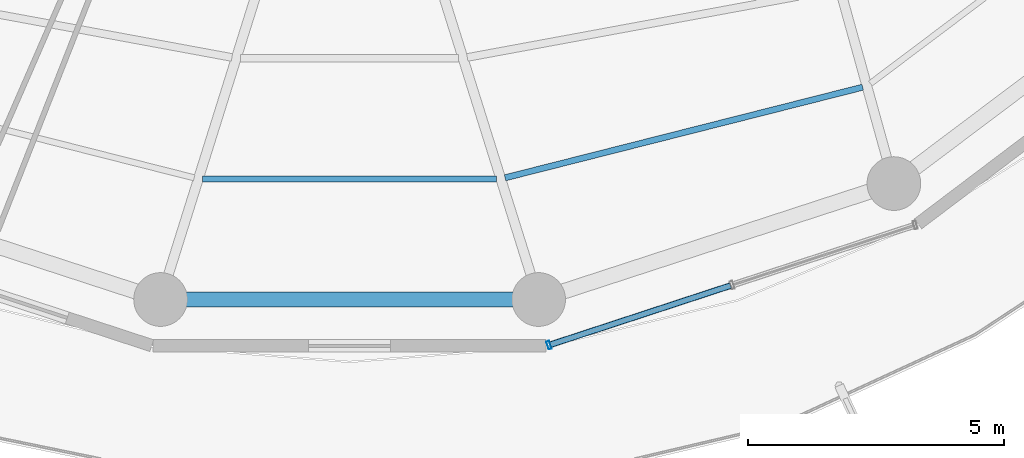
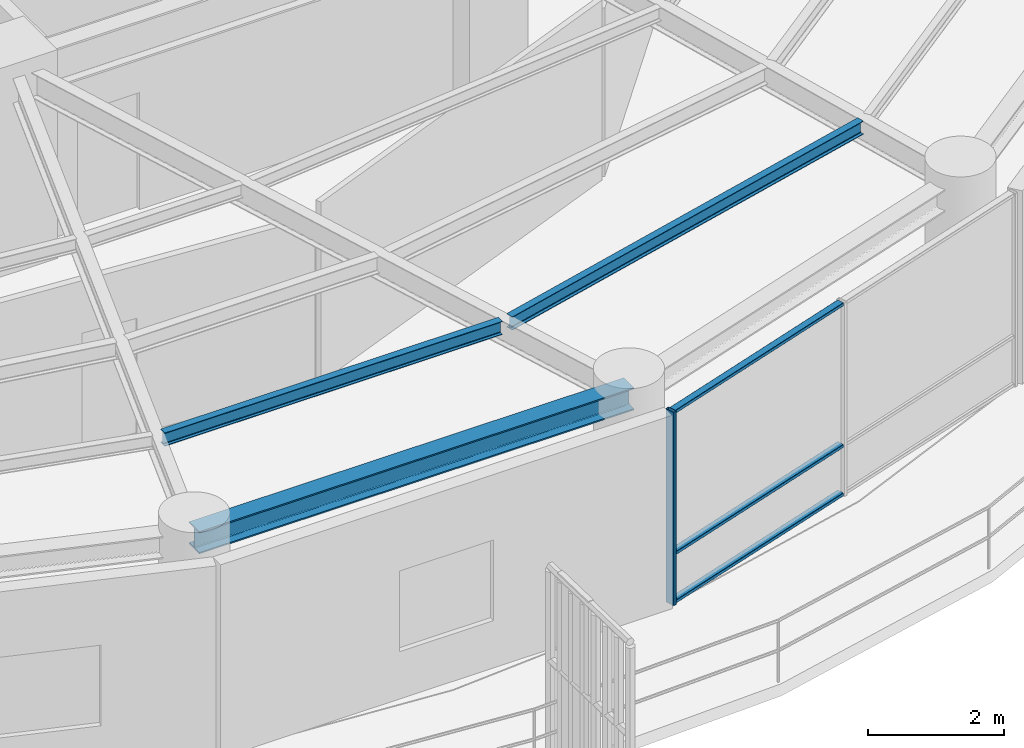
# One storey, part 4 of 30: 4 members, 3 beams, 1 element without a shape of its own.
"""IFC4 building model written with IfcOpenShell, lengths in metres."""

from ifc_helpers import new_model, si_unit, direction, frame, origin, origin_2d, place, context, subcontext, project, spatial, hollow_rectangle, i_section, extrude, material, layer, layer_set, material_profile, profile_set, type_object, element, aggregate, save


model = new_model("IFC4")

# Units and contexts
model_context = context("Model", 3, precision=1e-05, world=origin(), true_north=direction((0.0, 1.0)))
body_context = subcontext(model_context, "Body", "Model", "MODEL_VIEW")
ifc_project = project(units=[si_unit("LENGTHUNIT", "METRE"), si_unit("AREAUNIT", "SQUARE_METRE"), si_unit("VOLUMEUNIT", "CUBIC_METRE"), si_unit("PLANEANGLEUNIT", "RADIAN"), si_unit("MASSUNIT", "GRAM", prefix="KILO")], contexts=[model_context])

# Site, building, storey
site_placement = place(None, origin())
site = spatial("IfcSite", under=ifc_project, at=site_placement, CompositionType="ELEMENT")
building_placement = place(site_placement, origin())
building = spatial("IfcBuilding", under=site, at=building_placement, Name="Kelanora Arch Commons", CompositionType="ELEMENT")
storey_placement = place(building_placement, frame((0.0, 0.0, 234.449951171875)))
storey = spatial("IfcBuildingStorey", under=building, at=storey_placement, Name="L60", CompositionType="ELEMENT", Elevation=234.449951171875)

# Beams
ifc_material_1 = material(Name="Steel S355", Category="steel")
ifc_material_profile_1 = material_profile(ifc_material_1, i_section(OverallWidth=0.1201171875, OverallDepth=0.239990234375, WebThickness=0.006103515625, FlangeThickness=0.009765625, FilletRadius=0.014892578125, at=origin_2d()), Name="IPE240")
ifc_profile_set_1 = profile_set([ifc_material_profile_1], Name="Steel S355")
beam_type_1 = type_object("IfcBeamType", Name="BM-JST-02", PredefinedType="JOIST", material=ifc_profile_set_1)
beam_1_placement = place(storey_placement, frame((71.12890625, 41.56787109375, 3.3701171875), z_axis=(1.0, 0.0, 0.0), x_axis=(0.0, 1.0, 0.0)))
element("IfcBeam", 1, at=beam_1_placement, inside=storey, type_object=beam_type_1, Name="Secondary Chord Joist BJC-26 L60", PredefinedType="JOIST", context=body_context, shape_type="SweptSolid", body=[
    extrude(i_section(OverallWidth=0.1201171875, OverallDepth=0.239990234375, WebThickness=0.006103515625, FlangeThickness=0.009765625, FilletRadius=0.014892578125, at=origin_2d()), origin(), (0.0, 0.0, 1.0), 5.7421875),
])
beam_2_placement = place(storey_placement, frame((77.03857421875, 41.5888671875, 3.3701171875), z_axis=(0.969370989998, 0.245601066263, 0.0), x_axis=(-0.245601066263, 0.969370989998, 0.0)))
element("IfcBeam", 2, at=beam_2_placement, inside=storey, type_object=beam_type_1, Name="Secondary Chord Joist BJC-28 L60", PredefinedType="JOIST", context=body_context, shape_type="SweptSolid", body=[
    extrude(i_section(OverallWidth=0.1201171875, OverallDepth=0.239990234375, WebThickness=0.006103515625, FlangeThickness=0.009765625, FilletRadius=0.014892578125, at=origin_2d()), origin(), (0.0, 0.0, 1.0), 7.2119140625),
])
ifc_material_profile_2 = material_profile(ifc_material_1, i_section(OverallWidth=0.300048828125, OverallDepth=0.39990234375, WebThickness=0.013427734375, FlangeThickness=0.02392578125, FilletRadius=0.027099609375, at=origin_2d()), Name="HEB400")
ifc_profile_set_2 = profile_set([ifc_material_profile_2], Name="Steel S355")
beam_type_2 = type_object("IfcBeamType", Name="BM-SPN-Z4", PredefinedType="SPANDREL", material=ifc_profile_set_2)
beam_3_placement = place(storey_placement, frame((70.3046875, 39.2099609375, 3.2900390625), z_axis=(1.0, 0.0, 0.0), x_axis=(0.0, 1.0, 0.0)))
element("IfcBeam", 3, at=beam_3_placement, inside=storey, type_object=beam_type_2, Name="Perimeter Spandrel Beam BS-26 L60", PredefinedType="SPANDREL", context=body_context, shape_type="SweptSolid", body=[
    extrude(i_section(OverallWidth=0.300048828125, OverallDepth=0.39990234375, WebThickness=0.013427734375, FlangeThickness=0.02392578125, FilletRadius=0.027099609375, at=origin_2d()), origin(), (0.0, 0.0, 1.0), 7.390625),
])

# Curtain wall, members
ifc_material_2 = material(Name="Terracotta ceramic-fritted low-E glass and aluminium", Category="masonry")
ifc_layer = layer(ifc_material_2, 0.175048828125)
ifc_layer_set = layer_set([ifc_layer], Name="Terracotta ceramic-fritted low-E glass and aluminium")
curtain_wall_type = type_object("IfcCurtainWallType", Name="CW-SYS-02", PredefinedType="NOTDEFINED", material=ifc_layer_set)
curtain_wall_placement = place(storey_placement, origin())
curtain_wall = element("IfcCurtainWall", 4, at=curtain_wall_placement, inside=storey, type_object=curtain_wall_type, Name="Unitised Curtain Wall L60-B14", PredefinedType="NOTDEFINED")
ifc_material_3 = material(Name="Powder-coated aluminium terracotta", Category="masonry")
ifc_material_profile_3 = material_profile(ifc_material_3, hollow_rectangle(XDim=0.159912109375, YDim=0.06005859375, WallThickness=0.0048828125, InnerFilletRadius=0.0048828125, OuterFilletRadius=0.010009765625, at=origin_2d()), Name="CWM160x60")
ifc_profile_set_3 = profile_set([ifc_material_profile_3], Name="Powder-coated aluminium terracotta")
member_type_1 = type_object("IfcMemberType", Name="CWM-STD", PredefinedType="MULLION", material=ifc_profile_set_3)
member_1_placement = place(storey_placement, frame((77.897705078125, 38.31787109375, 0.0), z_axis=(0.0, 0.0, 1.0), x_axis=(-0.311582439059, 0.950219124029, 0.0)))
member_1 = element("IfcMember", 5, at=member_1_placement, type_object=member_type_1, Name="CW-02 mullion 1", PredefinedType="MULLION", context=body_context, shape_type="SweptSolid", body=[
    extrude(hollow_rectangle(XDim=0.159912109375, YDim=0.06005859375, WallThickness=0.0048828125, InnerFilletRadius=0.0048828125, OuterFilletRadius=0.010009765625, at=origin_2d()), origin(), (0.0, 0.0, 1.0), 3.47509765625),
])
ifc_material_profile_4 = material_profile(ifc_material_3, hollow_rectangle(XDim=0.1201171875, YDim=0.06005859375, WallThickness=0.0048828125, InnerFilletRadius=0.0048828125, OuterFilletRadius=0.010009765625, at=origin_2d()), Name="CWT120x60")
ifc_profile_set_4 = profile_set([ifc_material_profile_4], Name="Powder-coated aluminium terracotta")
member_type_2 = type_object("IfcMemberType", Name="CWT-STD", PredefinedType="USERDEFINED", material=ifc_profile_set_4)
member_2_placement = place(storey_placement, frame((77.92626953125, 38.3271484375, 0.030029296875), z_axis=(0.950206527055, 0.311620852867, 0.0), x_axis=(-0.311620852867, 0.950206527055, 0.0)))
member_2 = element("IfcMember", 6, at=member_2_placement, type_object=member_type_2, Name="CW-02 transom 1.1", ObjectType="TRANSOM", PredefinedType="USERDEFINED", context=body_context, shape_type="SweptSolid", body=[
    extrude(hollow_rectangle(XDim=0.1201171875, YDim=0.06005859375, WallThickness=0.0048828125, InnerFilletRadius=0.0048828125, OuterFilletRadius=0.010009765625, at=origin_2d()), origin(), (0.0, 0.0, 1.0), 3.707275390625),
])
member_3_placement = place(storey_placement, frame((77.92626953125, 38.3271484375, 0.900146484375), z_axis=(0.950206527055, 0.311620852867, 0.0), x_axis=(-0.311620852867, 0.950206527055, 0.0)))
member_3 = element("IfcMember", 7, at=member_3_placement, type_object=member_type_2, Name="CW-02 transom 1.2", ObjectType="TRANSOM", PredefinedType="USERDEFINED", context=body_context, shape_type="SweptSolid", body=[
    extrude(hollow_rectangle(XDim=0.1201171875, YDim=0.06005859375, WallThickness=0.0048828125, InnerFilletRadius=0.0048828125, OuterFilletRadius=0.010009765625, at=origin_2d()), origin(), (0.0, 0.0, 1.0), 3.707275390625),
])
member_4_placement = place(storey_placement, frame((77.92626953125, 38.3271484375, 3.445068359375), z_axis=(0.950206527055, 0.311620852867, 0.0), x_axis=(-0.311620852867, 0.950206527055, 0.0)))
member_4 = element("IfcMember", 8, at=member_4_placement, type_object=member_type_2, Name="CW-02 transom 1.3", ObjectType="TRANSOM", PredefinedType="USERDEFINED", context=body_context, shape_type="SweptSolid", body=[
    extrude(hollow_rectangle(XDim=0.1201171875, YDim=0.06005859375, WallThickness=0.0048828125, InnerFilletRadius=0.0048828125, OuterFilletRadius=0.010009765625, at=origin_2d()), origin(), (0.0, 0.0, 1.0), 3.707275390625),
])
aggregate(curtain_wall, [member_1, member_2, member_3, member_4])

save(model, "model.ifc")
